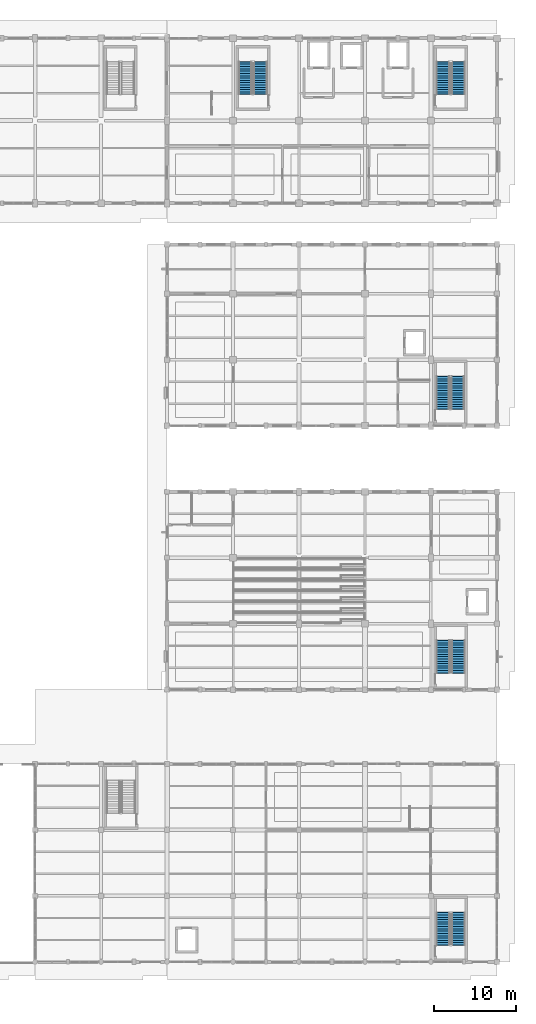
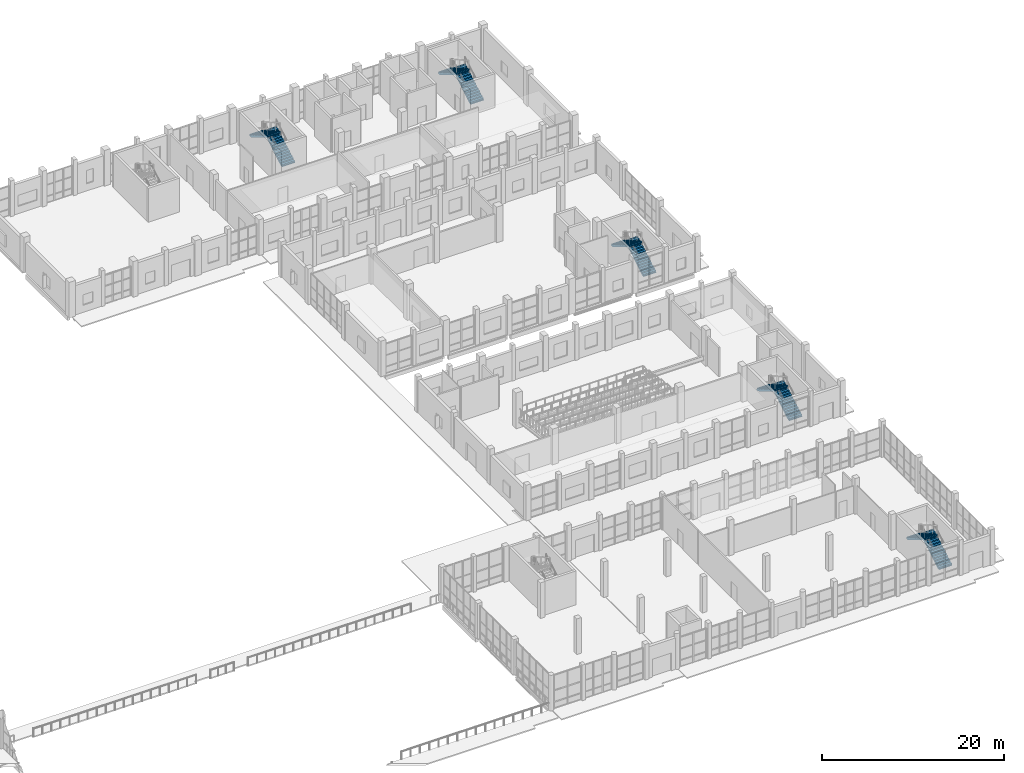
# One storey, part 135 of 156: 10 stair flights, 5 elements without a shape of their own.
"""IFC4 building model written with IfcOpenShell, lengths in metres."""

from ifc_helpers import new_model, si_unit, direction, frame, origin, place, context, subcontext, project, spatial, polyline, outline, extrude, material, type_object, element, aggregate, save


model = new_model("IFC4")

# Units and contexts
model_context = context("Model", 3, precision=1e-05, world=origin(), true_north=direction((0.0, 1.0)))
body_context = subcontext(model_context, "Body", "Model", "MODEL_VIEW")
ifc_project = project(units=[si_unit("LENGTHUNIT", "METRE"), si_unit("AREAUNIT", "SQUARE_METRE"), si_unit("VOLUMEUNIT", "CUBIC_METRE"), si_unit("PLANEANGLEUNIT", "RADIAN"), si_unit("MASSUNIT", "GRAM", prefix="KILO")], contexts=[model_context])

# Site, building, storey
site_placement = place(None, origin())
site = spatial("IfcSite", under=ifc_project, at=site_placement, CompositionType="ELEMENT")
building_placement = place(site_placement, origin())
building = spatial("IfcBuilding", under=site, at=building_placement, Name="Luwemba Playhouse", CompositionType="ELEMENT")
storey_placement = place(building_placement, origin())
storey = spatial("IfcBuildingStorey", under=building, at=storey_placement, Name="L00", CompositionType="ELEMENT", Elevation=0.0)

# Stair, stair flights
ifc_material = material(Name="Concrete C40/50", Category="concrete")
stair_type_1 = type_object("IfcStairType", Name="STR-DL-03", PredefinedType="HALF_TURN_STAIR", material=ifc_material)
stair_1_placement = place(storey_placement, origin())
stair_1 = element("IfcStair", 1, at=stair_1_placement, inside=storey, type_object=stair_type_1, Name="L00 Metro Concourse South-East Escape Stair", PredefinedType="HALF_TURN_STAIR")
stair_flight_type_1 = type_object("IfcStairFlightType", Name="SFL-DL-03", PredefinedType="STRAIGHT", material=ifc_material)
stair_flight_1_placement = place(storey_placement, frame((167.324951171875, 5.0400390625, 0.0), z_axis=(0.0, 0.0, 1.0), x_axis=(0.0, 1.0, 0.0)))
stair_flight_1 = element("IfcStairFlight", 2, at=stair_flight_1_placement, type_object=stair_flight_type_1, Name="ST-05 flight 1", NumberOfRisers=15, NumberOfTreads=14, PredefinedType="STRAIGHT", RiserHeight=0.16, TreadLength=0.28, context=body_context, shape_type="SweptSolid", body=[
    extrude(outline(polyline([(-0.06005859375, -0.10009765625), (-0.06005859375, 0.0), (0.0, 0.0), (0.0, 0.159912109375), (0.280029296875, 0.159912109375), (0.280029296875, 0.320068359375), (0.56005859375, 0.320068359375), (0.56005859375, 0.47998046875), (0.840087890625, 0.47998046875), (0.840087890625, 0.639892578125), (1.1201171875, 0.639892578125), (1.1201171875, 0.800048828125), (1.39990234375, 0.800048828125), (1.39990234375, 0.9599609375), (1.679931640625, 0.9599609375), (1.679931640625, 1.1201171875), (1.9599609375, 1.1201171875), (1.9599609375, 1.280029296875), (2.239990234375, 1.280029296875), (2.239990234375, 1.43994140625), (2.52001953125, 1.43994140625), (2.52001953125, 1.60009765625), (2.800048828125, 1.60009765625), (2.800048828125, 1.760009765625), (3.080078125, 1.760009765625), (3.080078125, 1.919921875), (3.360107421875, 1.919921875), (3.360107421875, 2.080078125), (3.639892578125, 2.080078125), (3.639892578125, 2.239990234375), (3.919921875, 2.239990234375), (3.919921875, 2.39990234375), (3.97998046875, 2.39990234375), (3.97998046875, 2.239990234375), (3.919921875, 2.080078125), (0.280029296875, -0.10009765625), (-0.06005859375, -0.10009765625)])), frame((0.0, 0.824951171875, 0.0), z_axis=(0.0, -1.0, 0.0), x_axis=(1.0, 0.0, 0.0)), (0.0, 0.0, 1.0), 1.64990234375),
])
stair_flight_2_placement = place(storey_placement, frame((165.47509765625, 8.9599609375, 2.39990234375), z_axis=(0.0, 0.0, 1.0), x_axis=(0.0, -1.0, 0.0)))
stair_flight_2 = element("IfcStairFlight", 3, at=stair_flight_2_placement, type_object=stair_flight_type_1, Name="ST-05 flight 2", NumberOfRisers=15, NumberOfTreads=14, PredefinedType="STRAIGHT", RiserHeight=0.16, TreadLength=0.28, context=body_context, shape_type="SweptSolid", body=[
    extrude(outline(polyline([(-0.06005859375, -0.10009765625), (-0.06005859375, 0.0), (0.0, 0.0), (0.0, 0.159912109375), (0.280029296875, 0.159912109375), (0.280029296875, 0.320068359375), (0.56005859375, 0.320068359375), (0.56005859375, 0.47998046875), (0.840087890625, 0.47998046875), (0.840087890625, 0.639892578125), (1.1201171875, 0.639892578125), (1.1201171875, 0.800048828125), (1.39990234375, 0.800048828125), (1.39990234375, 0.9599609375), (1.679931640625, 0.9599609375), (1.679931640625, 1.1201171875), (1.9599609375, 1.1201171875), (1.9599609375, 1.280029296875), (2.239990234375, 1.280029296875), (2.239990234375, 1.43994140625), (2.52001953125, 1.43994140625), (2.52001953125, 1.60009765625), (2.800048828125, 1.60009765625), (2.800048828125, 1.760009765625), (3.080078125, 1.760009765625), (3.080078125, 1.919921875), (3.360107421875, 1.919921875), (3.360107421875, 2.080078125), (3.639892578125, 2.080078125), (3.639892578125, 2.239990234375), (3.919921875, 2.239990234375), (3.919921875, 2.39990234375), (3.97998046875, 2.39990234375), (3.97998046875, 2.239990234375), (3.919921875, 2.080078125), (0.280029296875, -0.10009765625), (-0.06005859375, -0.10009765625)])), frame((0.0, 0.824951171875, 0.0), z_axis=(0.0, -1.0, 0.0), x_axis=(1.0, 0.0, 0.0)), (0.0, 0.0, 1.0), 1.64990234375),
])
aggregate(stair_1, [stair_flight_1, stair_flight_2])

stair_2_placement = place(storey_placement, origin())
stair_2 = element("IfcStair", 4, at=stair_2_placement, inside=storey, type_object=stair_type_1, Name="L00 Studio Theatre South-East Escape Stair", PredefinedType="HALF_TURN_STAIR")
stair_flight_3_placement = place(storey_placement, frame((167.324951171875, 38.0400390625, 0.0), z_axis=(0.0, 0.0, 1.0), x_axis=(0.0, 1.0, 0.0)))
stair_flight_3 = element("IfcStairFlight", 5, at=stair_flight_3_placement, type_object=stair_flight_type_1, Name="ST-06 flight 1", NumberOfRisers=15, NumberOfTreads=14, PredefinedType="STRAIGHT", RiserHeight=0.16, TreadLength=0.28, context=body_context, shape_type="SweptSolid", body=[
    extrude(outline(polyline([(-0.06005859375, -0.10009765625), (-0.06005859375, 0.0), (0.0, 0.0), (0.0, 0.159912109375), (0.280029296875, 0.159912109375), (0.280029296875, 0.320068359375), (0.56005859375, 0.320068359375), (0.56005859375, 0.47998046875), (0.840087890625, 0.47998046875), (0.840087890625, 0.639892578125), (1.1201171875, 0.639892578125), (1.1201171875, 0.800048828125), (1.39990234375, 0.800048828125), (1.39990234375, 0.9599609375), (1.679931640625, 0.9599609375), (1.679931640625, 1.1201171875), (1.9599609375, 1.1201171875), (1.9599609375, 1.280029296875), (2.239990234375, 1.280029296875), (2.239990234375, 1.43994140625), (2.52001953125, 1.43994140625), (2.52001953125, 1.60009765625), (2.800048828125, 1.60009765625), (2.800048828125, 1.760009765625), (3.080078125, 1.760009765625), (3.080078125, 1.919921875), (3.360107421875, 1.919921875), (3.360107421875, 2.080078125), (3.639892578125, 2.080078125), (3.639892578125, 2.239990234375), (3.919921875, 2.239990234375), (3.919921875, 2.39990234375), (3.97998046875, 2.39990234375), (3.97998046875, 2.239990234375), (3.919921875, 2.080078125), (0.280029296875, -0.10009765625), (-0.06005859375, -0.10009765625)])), frame((0.0, 0.824951171875, 0.0), z_axis=(0.0, -1.0, 0.0), x_axis=(1.0, 0.0, 0.0)), (0.0, 0.0, 1.0), 1.64990234375),
])
stair_flight_4_placement = place(storey_placement, frame((165.47509765625, 41.9599609375, 2.39990234375), z_axis=(0.0, 0.0, 1.0), x_axis=(0.0, -1.0, 0.0)))
stair_flight_4 = element("IfcStairFlight", 6, at=stair_flight_4_placement, type_object=stair_flight_type_1, Name="ST-06 flight 2", NumberOfRisers=15, NumberOfTreads=14, PredefinedType="STRAIGHT", RiserHeight=0.16, TreadLength=0.28, context=body_context, shape_type="SweptSolid", body=[
    extrude(outline(polyline([(-0.06005859375, -0.10009765625), (-0.06005859375, 0.0), (0.0, 0.0), (0.0, 0.159912109375), (0.280029296875, 0.159912109375), (0.280029296875, 0.320068359375), (0.56005859375, 0.320068359375), (0.56005859375, 0.47998046875), (0.840087890625, 0.47998046875), (0.840087890625, 0.639892578125), (1.1201171875, 0.639892578125), (1.1201171875, 0.800048828125), (1.39990234375, 0.800048828125), (1.39990234375, 0.9599609375), (1.679931640625, 0.9599609375), (1.679931640625, 1.1201171875), (1.9599609375, 1.1201171875), (1.9599609375, 1.280029296875), (2.239990234375, 1.280029296875), (2.239990234375, 1.43994140625), (2.52001953125, 1.43994140625), (2.52001953125, 1.60009765625), (2.800048828125, 1.60009765625), (2.800048828125, 1.760009765625), (3.080078125, 1.760009765625), (3.080078125, 1.919921875), (3.360107421875, 1.919921875), (3.360107421875, 2.080078125), (3.639892578125, 2.080078125), (3.639892578125, 2.239990234375), (3.919921875, 2.239990234375), (3.919921875, 2.39990234375), (3.97998046875, 2.39990234375), (3.97998046875, 2.239990234375), (3.919921875, 2.080078125), (0.280029296875, -0.10009765625), (-0.06005859375, -0.10009765625)])), frame((0.0, 0.824951171875, 0.0), z_axis=(0.0, -1.0, 0.0), x_axis=(1.0, 0.0, 0.0)), (0.0, 0.0, 1.0), 1.64990234375),
])
aggregate(stair_2, [stair_flight_3, stair_flight_4])

stair_3_placement = place(storey_placement, origin())
stair_3 = element("IfcStair", 7, at=stair_3_placement, inside=storey, type_object=stair_type_1, Name="L00 Conservatory Firefighting Escape Stair", PredefinedType="HALF_TURN_STAIR")
stair_flight_5_placement = place(storey_placement, frame((143.324951171875, 108.199951171875, 0.0), z_axis=(0.0, 0.0, 1.0), x_axis=(0.0, 1.0, 0.0)))
stair_flight_5 = element("IfcStairFlight", 8, at=stair_flight_5_placement, type_object=stair_flight_type_1, Name="ST-09 flight 1", NumberOfRisers=15, NumberOfTreads=14, PredefinedType="STRAIGHT", RiserHeight=0.16, TreadLength=0.28, context=body_context, shape_type="SweptSolid", body=[
    extrude(outline(polyline([(-0.06005859375, -0.10009765625), (-0.06005859375, 0.0), (0.0, 0.0), (0.0, 0.159912109375), (0.280029296875, 0.159912109375), (0.280029296875, 0.320068359375), (0.56005859375, 0.320068359375), (0.56005859375, 0.47998046875), (0.840087890625, 0.47998046875), (0.840087890625, 0.639892578125), (1.1201171875, 0.639892578125), (1.1201171875, 0.800048828125), (1.39990234375, 0.800048828125), (1.39990234375, 0.9599609375), (1.679931640625, 0.9599609375), (1.679931640625, 1.1201171875), (1.9599609375, 1.1201171875), (1.9599609375, 1.280029296875), (2.239990234375, 1.280029296875), (2.239990234375, 1.43994140625), (2.52001953125, 1.43994140625), (2.52001953125, 1.60009765625), (2.800048828125, 1.60009765625), (2.800048828125, 1.760009765625), (3.080078125, 1.760009765625), (3.080078125, 1.919921875), (3.360107421875, 1.919921875), (3.360107421875, 2.080078125), (3.639892578125, 2.080078125), (3.639892578125, 2.239990234375), (3.919921875, 2.239990234375), (3.919921875, 2.39990234375), (3.97998046875, 2.39990234375), (3.97998046875, 2.239990234375), (3.919921875, 2.080078125), (0.280029296875, -0.10009765625), (-0.06005859375, -0.10009765625)])), frame((0.0, 0.824951171875, 0.0), z_axis=(0.0, -1.0, 0.0), x_axis=(1.0, 0.0, 0.0)), (0.0, 0.0, 1.0), 1.64990234375),
])
stair_flight_6_placement = place(storey_placement, frame((141.47509765625, 112.1201171875, 2.39990234375), z_axis=(0.0, 0.0, 1.0), x_axis=(0.0, -1.0, 0.0)))
stair_flight_6 = element("IfcStairFlight", 9, at=stair_flight_6_placement, type_object=stair_flight_type_1, Name="ST-09 flight 2", NumberOfRisers=15, NumberOfTreads=14, PredefinedType="STRAIGHT", RiserHeight=0.16, TreadLength=0.28, context=body_context, shape_type="SweptSolid", body=[
    extrude(outline(polyline([(-0.06005859375, -0.10009765625), (-0.06005859375, 0.0), (0.0, 0.0), (0.0, 0.159912109375), (0.280029296875, 0.159912109375), (0.280029296875, 0.320068359375), (0.56005859375, 0.320068359375), (0.56005859375, 0.47998046875), (0.840087890625, 0.47998046875), (0.840087890625, 0.639892578125), (1.1201171875, 0.639892578125), (1.1201171875, 0.800048828125), (1.39990234375, 0.800048828125), (1.39990234375, 0.9599609375), (1.679931640625, 0.9599609375), (1.679931640625, 1.1201171875), (1.9599609375, 1.1201171875), (1.9599609375, 1.280029296875), (2.239990234375, 1.280029296875), (2.239990234375, 1.43994140625), (2.52001953125, 1.43994140625), (2.52001953125, 1.60009765625), (2.800048828125, 1.60009765625), (2.800048828125, 1.760009765625), (3.080078125, 1.760009765625), (3.080078125, 1.919921875), (3.360107421875, 1.919921875), (3.360107421875, 2.080078125), (3.639892578125, 2.080078125), (3.639892578125, 2.239990234375), (3.919921875, 2.239990234375), (3.919921875, 2.39990234375), (3.97998046875, 2.39990234375), (3.97998046875, 2.239990234375), (3.919921875, 2.080078125), (0.280029296875, -0.10009765625), (-0.06005859375, -0.10009765625)])), frame((0.0, 0.824951171875, 0.0), z_axis=(0.0, -1.0, 0.0), x_axis=(1.0, 0.0, 0.0)), (0.0, 0.0, 1.0), 1.64990234375),
])
aggregate(stair_3, [stair_flight_5, stair_flight_6])

stair_4_placement = place(storey_placement, origin())
stair_4 = element("IfcStair", 10, at=stair_4_placement, inside=storey, type_object=stair_type_1, Name="L00 Conservatory East Escape Stair", PredefinedType="HALF_TURN_STAIR")
stair_flight_7_placement = place(storey_placement, frame((167.324951171875, 108.199951171875, 0.0), z_axis=(0.0, 0.0, 1.0), x_axis=(0.0, 1.0, 0.0)))
stair_flight_7 = element("IfcStairFlight", 11, at=stair_flight_7_placement, type_object=stair_flight_type_1, Name="ST-10 flight 1", NumberOfRisers=15, NumberOfTreads=14, PredefinedType="STRAIGHT", RiserHeight=0.16, TreadLength=0.28, context=body_context, shape_type="SweptSolid", body=[
    extrude(outline(polyline([(-0.06005859375, -0.10009765625), (-0.06005859375, 0.0), (0.0, 0.0), (0.0, 0.159912109375), (0.280029296875, 0.159912109375), (0.280029296875, 0.320068359375), (0.56005859375, 0.320068359375), (0.56005859375, 0.47998046875), (0.840087890625, 0.47998046875), (0.840087890625, 0.639892578125), (1.1201171875, 0.639892578125), (1.1201171875, 0.800048828125), (1.39990234375, 0.800048828125), (1.39990234375, 0.9599609375), (1.679931640625, 0.9599609375), (1.679931640625, 1.1201171875), (1.9599609375, 1.1201171875), (1.9599609375, 1.280029296875), (2.239990234375, 1.280029296875), (2.239990234375, 1.43994140625), (2.52001953125, 1.43994140625), (2.52001953125, 1.60009765625), (2.800048828125, 1.60009765625), (2.800048828125, 1.760009765625), (3.080078125, 1.760009765625), (3.080078125, 1.919921875), (3.360107421875, 1.919921875), (3.360107421875, 2.080078125), (3.639892578125, 2.080078125), (3.639892578125, 2.239990234375), (3.919921875, 2.239990234375), (3.919921875, 2.39990234375), (3.97998046875, 2.39990234375), (3.97998046875, 2.239990234375), (3.919921875, 2.080078125), (0.280029296875, -0.10009765625), (-0.06005859375, -0.10009765625)])), frame((0.0, 0.824951171875, 0.0), z_axis=(0.0, -1.0, 0.0), x_axis=(1.0, 0.0, 0.0)), (0.0, 0.0, 1.0), 1.64990234375),
])
stair_flight_8_placement = place(storey_placement, frame((165.47509765625, 112.1201171875, 2.39990234375), z_axis=(0.0, 0.0, 1.0), x_axis=(0.0, -1.0, 0.0)))
stair_flight_8 = element("IfcStairFlight", 12, at=stair_flight_8_placement, type_object=stair_flight_type_1, Name="ST-10 flight 2", NumberOfRisers=15, NumberOfTreads=14, PredefinedType="STRAIGHT", RiserHeight=0.16, TreadLength=0.28, context=body_context, shape_type="SweptSolid", body=[
    extrude(outline(polyline([(-0.06005859375, -0.10009765625), (-0.06005859375, 0.0), (0.0, 0.0), (0.0, 0.159912109375), (0.280029296875, 0.159912109375), (0.280029296875, 0.320068359375), (0.56005859375, 0.320068359375), (0.56005859375, 0.47998046875), (0.840087890625, 0.47998046875), (0.840087890625, 0.639892578125), (1.1201171875, 0.639892578125), (1.1201171875, 0.800048828125), (1.39990234375, 0.800048828125), (1.39990234375, 0.9599609375), (1.679931640625, 0.9599609375), (1.679931640625, 1.1201171875), (1.9599609375, 1.1201171875), (1.9599609375, 1.280029296875), (2.239990234375, 1.280029296875), (2.239990234375, 1.43994140625), (2.52001953125, 1.43994140625), (2.52001953125, 1.60009765625), (2.800048828125, 1.60009765625), (2.800048828125, 1.760009765625), (3.080078125, 1.760009765625), (3.080078125, 1.919921875), (3.360107421875, 1.919921875), (3.360107421875, 2.080078125), (3.639892578125, 2.080078125), (3.639892578125, 2.239990234375), (3.919921875, 2.239990234375), (3.919921875, 2.39990234375), (3.97998046875, 2.39990234375), (3.97998046875, 2.239990234375), (3.919921875, 2.080078125), (0.280029296875, -0.10009765625), (-0.06005859375, -0.10009765625)])), frame((0.0, 0.824951171875, 0.0), z_axis=(0.0, -1.0, 0.0), x_axis=(1.0, 0.0, 0.0)), (0.0, 0.0, 1.0), 1.64990234375),
])
aggregate(stair_4, [stair_flight_7, stair_flight_8])

stair_type_2 = type_object("IfcStairType", Name="STR-DL-05", PredefinedType="HALF_TURN_STAIR", material=ifc_material)
stair_5_placement = place(storey_placement, origin())
stair_5 = element("IfcStair", 13, at=stair_5_placement, inside=storey, type_object=stair_type_2, Name="L00 Black-Box Firefighting Escape Stair", PredefinedType="HALF_TURN_STAIR")
stair_flight_type_2 = type_object("IfcStairFlightType", Name="SFL-DL-05", PredefinedType="STRAIGHT", material=ifc_material)
stair_flight_9_placement = place(storey_placement, frame((167.25, 70.0400390625, 0.0), z_axis=(0.0, 0.0, 1.0), x_axis=(0.0, 1.0, 0.0)))
stair_flight_9 = element("IfcStairFlight", 14, at=stair_flight_9_placement, type_object=stair_flight_type_2, Name="ST-07 flight 1", NumberOfRisers=15, NumberOfTreads=14, PredefinedType="STRAIGHT", RiserHeight=0.16, TreadLength=0.28, context=body_context, shape_type="SweptSolid", body=[
    extrude(outline(polyline([(-0.06005859375, -0.10009765625), (-0.06005859375, 0.0), (0.0, 0.0), (0.0, 0.159912109375), (0.280029296875, 0.159912109375), (0.280029296875, 0.320068359375), (0.56005859375, 0.320068359375), (0.56005859375, 0.47998046875), (0.840087890625, 0.47998046875), (0.840087890625, 0.639892578125), (1.1201171875, 0.639892578125), (1.1201171875, 0.800048828125), (1.39990234375, 0.800048828125), (1.39990234375, 0.9599609375), (1.679931640625, 0.9599609375), (1.679931640625, 1.1201171875), (1.9599609375, 1.1201171875), (1.9599609375, 1.280029296875), (2.239990234375, 1.280029296875), (2.239990234375, 1.43994140625), (2.52001953125, 1.43994140625), (2.52001953125, 1.60009765625), (2.800048828125, 1.60009765625), (2.800048828125, 1.760009765625), (3.080078125, 1.760009765625), (3.080078125, 1.919921875), (3.360107421875, 1.919921875), (3.360107421875, 2.080078125), (3.639892578125, 2.080078125), (3.639892578125, 2.239990234375), (3.919921875, 2.239990234375), (3.919921875, 2.39990234375), (3.97998046875, 2.39990234375), (3.97998046875, 2.239990234375), (3.919921875, 2.080078125), (0.280029296875, -0.10009765625), (-0.06005859375, -0.10009765625)])), frame((0.0, 0.800048828125, 0.0), z_axis=(0.0, -1.0, 0.0), x_axis=(1.0, 0.0, 0.0)), (0.0, 0.0, 1.0), 1.60009765625),
])
stair_flight_10_placement = place(storey_placement, frame((165.449951171875, 73.9599609375, 2.39990234375), z_axis=(0.0, 0.0, 1.0), x_axis=(0.0, -1.0, 0.0)))
stair_flight_10 = element("IfcStairFlight", 15, at=stair_flight_10_placement, type_object=stair_flight_type_2, Name="ST-07 flight 2", NumberOfRisers=15, NumberOfTreads=14, PredefinedType="STRAIGHT", RiserHeight=0.16, TreadLength=0.28, context=body_context, shape_type="SweptSolid", body=[
    extrude(outline(polyline([(-0.06005859375, -0.10009765625), (-0.06005859375, 0.0), (0.0, 0.0), (0.0, 0.159912109375), (0.280029296875, 0.159912109375), (0.280029296875, 0.320068359375), (0.56005859375, 0.320068359375), (0.56005859375, 0.47998046875), (0.840087890625, 0.47998046875), (0.840087890625, 0.639892578125), (1.1201171875, 0.639892578125), (1.1201171875, 0.800048828125), (1.39990234375, 0.800048828125), (1.39990234375, 0.9599609375), (1.679931640625, 0.9599609375), (1.679931640625, 1.1201171875), (1.9599609375, 1.1201171875), (1.9599609375, 1.280029296875), (2.239990234375, 1.280029296875), (2.239990234375, 1.43994140625), (2.52001953125, 1.43994140625), (2.52001953125, 1.60009765625), (2.800048828125, 1.60009765625), (2.800048828125, 1.760009765625), (3.080078125, 1.760009765625), (3.080078125, 1.919921875), (3.360107421875, 1.919921875), (3.360107421875, 2.080078125), (3.639892578125, 2.080078125), (3.639892578125, 2.239990234375), (3.919921875, 2.239990234375), (3.919921875, 2.39990234375), (3.97998046875, 2.39990234375), (3.97998046875, 2.239990234375), (3.919921875, 2.080078125), (0.280029296875, -0.10009765625), (-0.06005859375, -0.10009765625)])), frame((0.0, 0.800048828125, 0.0), z_axis=(0.0, -1.0, 0.0), x_axis=(1.0, 0.0, 0.0)), (0.0, 0.0, 1.0), 1.60009765625),
])
aggregate(stair_5, [stair_flight_9, stair_flight_10])

save(model, "model.ifc")
